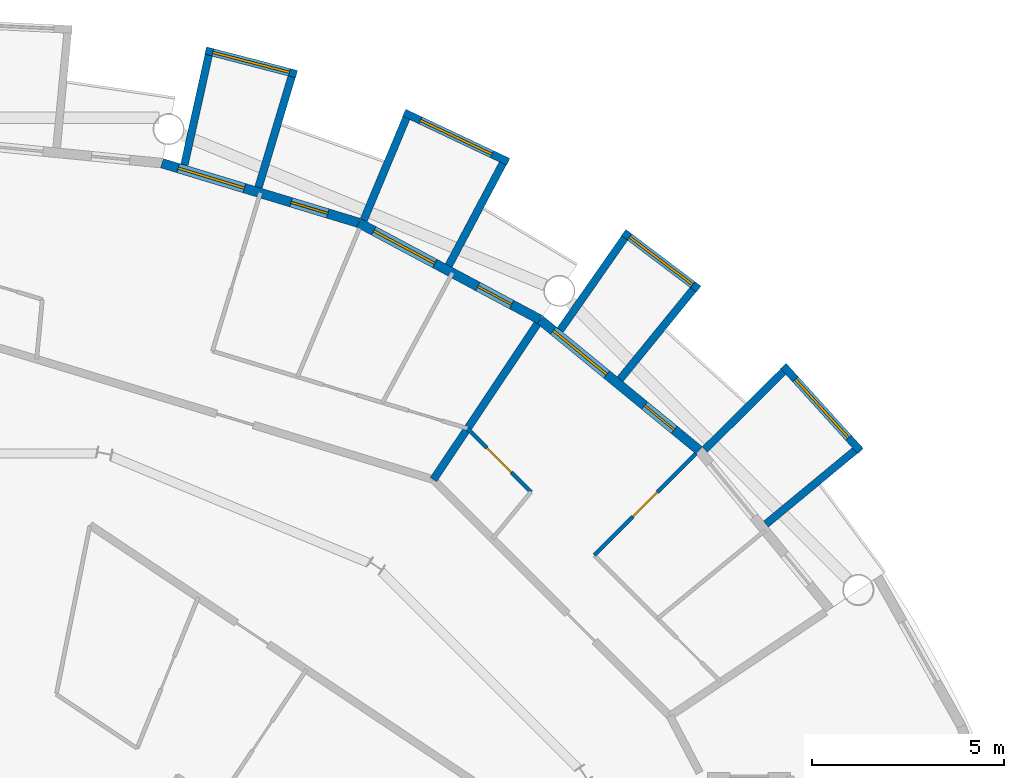
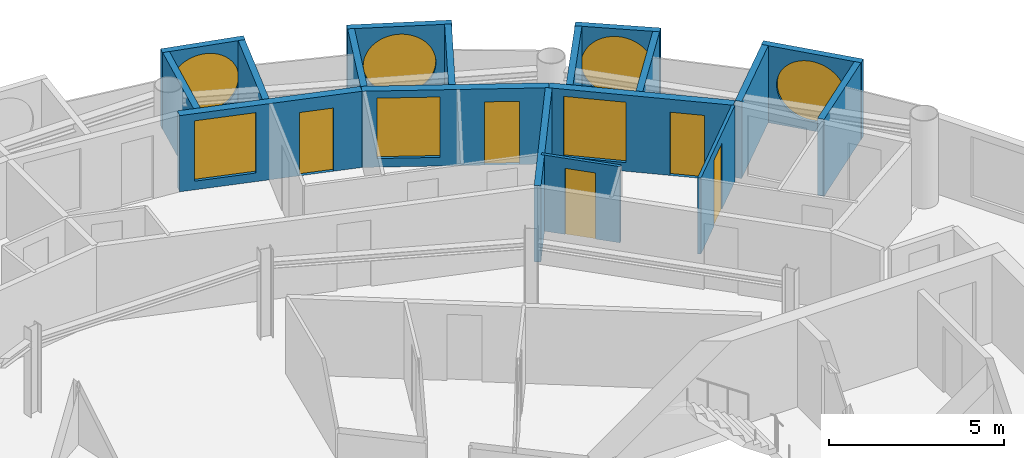
# One storey, part 24 of 28: 18 walls, 7 windows, 5 doors, 12 openings.
"""IFC4 building model written with IfcOpenShell, lengths in metres."""

from ifc_helpers import new_model, si_unit, direction, frame, frame_2d, origin, place, context, subcontext, project, spatial, rectangle, circle, extrude, material, layer, layer_set, type_object, element, fill, save


model = new_model("IFC4")

# Units and contexts
model_context = context("Model", 3, precision=1e-05, world=origin(), true_north=direction((0.0, 1.0)))
body_context = subcontext(model_context, "Body", "Model", "MODEL_VIEW")
ifc_project = project(units=[si_unit("LENGTHUNIT", "METRE"), si_unit("AREAUNIT", "SQUARE_METRE"), si_unit("VOLUMEUNIT", "CUBIC_METRE"), si_unit("PLANEANGLEUNIT", "RADIAN"), si_unit("MASSUNIT", "GRAM", prefix="KILO")], contexts=[model_context])

# Site, building, storey
site_placement = place(None, origin())
site = spatial("IfcSite", under=ifc_project, at=site_placement, CompositionType="ELEMENT")
building_placement = place(site_placement, origin())
building = spatial("IfcBuilding", under=site, at=building_placement, Name="Maasbend Ring Residences", CompositionType="ELEMENT")
storey_placement = place(building_placement, frame((0.0, 0.0, 218.800048828125)))
storey = spatial("IfcBuildingStorey", under=building, at=storey_placement, Name="L63", CompositionType="ELEMENT", Elevation=218.800048828125)

# Wall, opening, window
ifc_material_1 = material(Name="Pale anodised aluminium panel", Category="aluminium")
ifc_layer_1 = layer(ifc_material_1, 0.199951171875)
ifc_layer_set_1 = layer_set([ifc_layer_1], Name="EW-BOX")
wall_type_1 = type_object("IfcWallType", Name="EW-BOX", PredefinedType="SOLIDWALL", material=ifc_layer_set_1)
wall_1_placement = place(storey_placement, frame((23.5029296875, 19.281982421875, -0.030029296875), z_axis=(0.0, 0.0, 1.0), x_axis=(-0.671506829416, 0.740998365753, 0.0)))
wall_1 = element("IfcWall", 1, at=wall_1_placement, inside=storey, type_object=wall_type_1, Name="Box front N02", PredefinedType="SOLIDWALL", context=body_context, shape_type="SweptSolid", body=[
    extrude(rectangle(XDim=2.9931640625, YDim=0.199951171875, at=frame_2d((1.49658203125, 0.0))), origin(), (0.0, 0.0, 1.0), 2.679931640625),
])
opening_1_placement = place(wall_1_placement, frame((0.45654296875, 0.0, 0.330078125)))
opening_1 = element("IfcOpeningElement", 2, at=opening_1_placement, cuts=wall_1, Name="Opening W-RD", PredefinedType="OPENING", context=body_context, shape_type="SweptSolid", body=[
    extrude(circle(Radius=1.0400390625, at=frame_2d((1.0400390625, 1.0400390625))), frame((0.0, 0.10986328125, 0.0), z_axis=(0.0, -1.0, 0.0), x_axis=(1.0, 0.0, 0.0)), (0.0, 0.0, 1.0), 0.219970703125),
])
ifc_material_2 = material(Name="Aluminium and clear glass", Category="aluminium")
window_type_1 = type_object("IfcWindowType", Name="W-RD", PartitioningType="SINGLE_PANEL", PredefinedType="WINDOW", material=ifc_material_2)
window_1_placement = place(opening_1_placement, origin())
window_1 = element("IfcWindow", 3, at=window_1_placement, inside=storey, type_object=window_type_1, Name="Round window N02", OverallHeight=2.080078125, OverallWidth=2.080078125, PartitioningType="SINGLE_PANEL", PredefinedType="WINDOW", context=body_context, shape_type="SweptSolid", body=[
    extrude(circle(Radius=1.0400390625, at=frame_2d((1.0400390625, 1.0400390625))), frame((0.0, 0.030029296875, 0.0), z_axis=(0.0, -1.0, 0.0), x_axis=(1.0, 0.0, 0.0)), (0.0, 0.0, 1.0), 0.06005859375),
])
fill(opening_1, window_1)

# Walls
wall_2_placement = place(storey_placement, frame((21.041015625, 17.384033203125, -0.030029296875), z_axis=(0.0, 0.0, 1.0), x_axis=(0.770784861449, 0.63709551667, 0.0)))
element("IfcWall", 4, at=wall_2_placement, inside=storey, type_object=wall_type_1, Name="Box side wall N02 left", PredefinedType="SOLIDWALL", context=body_context, shape_type="SweptSolid", body=[
    extrude(rectangle(XDim=3.005859375, YDim=0.199951171875, at=frame_2d((1.5029296875, 0.0))), origin(), (0.0, 0.0, 1.0), 2.679931640625),
])
wall_3_placement = place(storey_placement, frame((19.449951171875, 19.322998046875, -0.030029296875), z_axis=(0.0, 0.0, 1.0), x_axis=(0.709727076896, 0.704476739375, 0.0)))
element("IfcWall", 5, at=wall_3_placement, inside=storey, type_object=wall_type_1, Name="Box side wall N02 right", PredefinedType="SOLIDWALL", context=body_context, shape_type="SweptSolid", body=[
    extrude(rectangle(XDim=2.883056640625, YDim=0.199951171875, at=frame_2d((1.44140625, 0.0))), origin(), (0.0, 0.0, 1.0), 2.679931640625),
])

# Wall, opening, window
wall_4_placement = place(storey_placement, frame((19.2890625, 23.4970703125, -0.030029296875), z_axis=(0.0, 0.0, 1.0), x_axis=(-0.797887588059, 0.602806268067, 0.0)))
wall_4 = element("IfcWall", 6, at=wall_4_placement, inside=storey, type_object=wall_type_1, Name="Box front N04", PredefinedType="SOLIDWALL", context=body_context, shape_type="SweptSolid", body=[
    extrude(rectangle(XDim=2.446533203125, YDim=0.199951171875, at=frame_2d((1.22314453125, 0.0))), origin(), (0.0, 0.0, 1.0), 2.679931640625),
])
opening_2_placement = place(wall_4_placement, frame((0.182861328125, 0.0, 0.330078125)))
opening_2 = element("IfcOpeningElement", 7, at=opening_2_placement, cuts=wall_4, Name="Opening W-RD", PredefinedType="OPENING", context=body_context, shape_type="SweptSolid", body=[
    extrude(circle(Radius=1.0400390625, at=frame_2d((1.0400390625, 1.0400390625))), frame((0.0, 0.10986328125, 0.0), z_axis=(0.0, -1.0, 0.0), x_axis=(1.0, 0.0, 0.0)), (0.0, 0.0, 1.0), 0.219970703125),
])
window_2_placement = place(opening_2_placement, origin())
window_2 = element("IfcWindow", 8, at=window_2_placement, inside=storey, type_object=window_type_1, Name="Round window N04", OverallHeight=2.080078125, OverallWidth=2.080078125, PartitioningType="SINGLE_PANEL", PredefinedType="WINDOW", context=body_context, shape_type="SweptSolid", body=[
    extrude(circle(Radius=1.0400390625, at=frame_2d((1.0400390625, 1.0400390625))), frame((0.0, 0.030029296875, 0.0), z_axis=(0.0, -1.0, 0.0), x_axis=(1.0, 0.0, 0.0)), (0.0, 0.0, 1.0), 0.06005859375),
])
fill(opening_2, window_2)

# Walls
wall_5_placement = place(storey_placement, frame((17.24609375, 21.155029296875, -0.030029296875), z_axis=(0.0, 0.0, 1.0), x_axis=(0.631741648902, 0.775179004516, 0.0)))
element("IfcWall", 9, at=wall_5_placement, inside=storey, type_object=wall_type_1, Name="Box side wall N04 left", PredefinedType="SOLIDWALL", context=body_context, shape_type="SweptSolid", body=[
    extrude(rectangle(XDim=3.005859375, YDim=0.199951171875, at=frame_2d((1.5029296875, 0.0))), origin(), (0.0, 0.0, 1.0), 2.679931640625),
])
wall_6_placement = place(storey_placement, frame((15.68798828125, 22.43310546875, -0.030029296875), z_axis=(0.0, 0.0, 1.0), x_axis=(0.573260687834, 0.819373043115, 0.0)))
element("IfcWall", 10, at=wall_6_placement, inside=storey, type_object=wall_type_1, Name="Box side wall N04 right", PredefinedType="SOLIDWALL", context=body_context, shape_type="SweptSolid", body=[
    extrude(rectangle(XDim=2.92529296875, YDim=0.199951171875, at=frame_2d((1.462646484375, 0.0))), origin(), (0.0, 0.0, 1.0), 2.679931640625),
])

# Wall, opening, window
wall_7_placement = place(storey_placement, frame((14.3349609375, 26.80810546875, -0.030029296875), z_axis=(0.0, 0.0, 1.0), x_axis=(-0.904000060331, 0.427532327342, 0.0)))
wall_7 = element("IfcWall", 11, at=wall_7_placement, inside=storey, type_object=wall_type_1, Name="Box front N06", PredefinedType="SOLIDWALL", context=body_context, shape_type="SweptSolid", body=[
    extrude(rectangle(XDim=2.993408203125, YDim=0.199951171875, at=frame_2d((1.49658203125, 0.0))), origin(), (0.0, 0.0, 1.0), 2.679931640625),
])
opening_3_placement = place(wall_7_placement, frame((0.45654296875, 0.0, 0.330078125)))
opening_3 = element("IfcOpeningElement", 12, at=opening_3_placement, cuts=wall_7, Name="Opening W-RD", PredefinedType="OPENING", context=body_context, shape_type="SweptSolid", body=[
    extrude(circle(Radius=1.0400390625, at=frame_2d((1.0400390625, 1.0400390625))), frame((0.0, 0.10986328125, 0.0), z_axis=(0.0, -1.0, 0.0), x_axis=(1.0, 0.0, 0.0)), (0.0, 0.0, 1.0), 0.219970703125),
])
window_3_placement = place(opening_3_placement, origin())
window_3 = element("IfcWindow", 13, at=window_3_placement, inside=storey, type_object=window_type_1, Name="Round window N06", OverallHeight=2.080078125, OverallWidth=2.080078125, PartitioningType="SINGLE_PANEL", PredefinedType="WINDOW", context=body_context, shape_type="SweptSolid", body=[
    extrude(circle(Radius=1.0400390625, at=frame_2d((1.0400390625, 1.0400390625))), frame((0.0, 0.030029296875, 0.0), z_axis=(0.0, -1.0, 0.0), x_axis=(1.0, 0.0, 0.0)), (0.0, 0.0, 1.0), 0.06005859375),
])
fill(opening_3, window_3)

# Walls
wall_8_placement = place(storey_placement, frame((12.787109375, 24.113037109375, -0.030029296875), z_axis=(0.0, 0.0, 1.0), x_axis=(0.468365282436, 0.883534924159, 0.0)))
element("IfcWall", 14, at=wall_8_placement, inside=storey, type_object=wall_type_1, Name="Box side wall N06 left", PredefinedType="SOLIDWALL", context=body_context, shape_type="SweptSolid", body=[
    extrude(rectangle(XDim=3.006103515625, YDim=0.199951171875, at=frame_2d((1.5029296875, 0.0))), origin(), (0.0, 0.0, 1.0), 2.679931640625),
])
wall_9_placement = place(storey_placement, frame((10.574951171875, 25.294921875, -0.030029296875), z_axis=(0.0, 0.0, 1.0), x_axis=(0.385697364644, 0.922625353492, 0.0)))
element("IfcWall", 15, at=wall_9_placement, inside=storey, type_object=wall_type_1, Name="Box side wall N06 right", PredefinedType="SOLIDWALL", context=body_context, shape_type="SweptSolid", body=[
    extrude(rectangle(XDim=2.88330078125, YDim=0.199951171875, at=frame_2d((1.441650390625, 0.0))), origin(), (0.0, 0.0, 1.0), 2.679931640625),
])

# Wall, opening, window
wall_10_placement = place(storey_placement, frame((8.8291015625, 29.090087890625, -0.030029296875), z_axis=(0.0, 0.0, 1.0), x_axis=(-0.96789536872, 0.251353446784, 0.0)))
wall_10 = element("IfcWall", 16, at=wall_10_placement, inside=storey, type_object=wall_type_1, Name="Box front N08", PredefinedType="SOLIDWALL", context=body_context, shape_type="SweptSolid", body=[
    extrude(rectangle(XDim=2.44677734375, YDim=0.199951171875, at=frame_2d((1.223388671875, 0.0))), origin(), (0.0, 0.0, 1.0), 2.679931640625),
])
opening_4_placement = place(wall_10_placement, frame((0.182861328125, 0.0, 0.330078125)))
opening_4 = element("IfcOpeningElement", 17, at=opening_4_placement, cuts=wall_10, Name="Opening W-RD", PredefinedType="OPENING", context=body_context, shape_type="SweptSolid", body=[
    extrude(circle(Radius=1.0400390625, at=frame_2d((1.0400390625, 1.0400390625))), frame((0.0, 0.10986328125, 0.0), z_axis=(0.0, -1.0, 0.0), x_axis=(1.0, 0.0, 0.0)), (0.0, 0.0, 1.0), 0.219970703125),
])
window_4_placement = place(opening_4_placement, origin())
window_4 = element("IfcWindow", 18, at=window_4_placement, inside=storey, type_object=window_type_1, Name="Round window N08", OverallHeight=2.080078125, OverallWidth=2.080078125, PartitioningType="SINGLE_PANEL", PredefinedType="WINDOW", context=body_context, shape_type="SweptSolid", body=[
    extrude(circle(Radius=1.0400390625, at=frame_2d((1.0400390625, 1.0400390625))), frame((0.0, 0.030029296875, 0.0), z_axis=(0.0, -1.0, 0.0), x_axis=(1.0, 0.0, 0.0)), (0.0, 0.0, 1.0), 0.06005859375),
])
fill(opening_4, window_4)

# Walls
wall_11_placement = place(storey_placement, frame((7.8369140625, 26.14404296875, -0.030029296875), z_axis=(0.0, 0.0, 1.0), x_axis=(0.287064767992, 0.957911174889, 0.0)))
element("IfcWall", 19, at=wall_11_placement, inside=storey, type_object=wall_type_1, Name="Box side wall N08 left", PredefinedType="SOLIDWALL", context=body_context, shape_type="SweptSolid", body=[
    extrude(rectangle(XDim=3.00634765625, YDim=0.199951171875, at=frame_2d((1.503173828125, 0.0))), origin(), (0.0, 0.0, 1.0), 2.679931640625),
])
wall_12_placement = place(storey_placement, frame((5.908935546875, 26.72900390625, -0.030029296875), z_axis=(0.0, 0.0, 1.0), x_axis=(0.216409053917, 0.976302781612, 0.0)))
element("IfcWall", 20, at=wall_12_placement, inside=storey, type_object=wall_type_1, Name="Box side wall N08 right", PredefinedType="SOLIDWALL", context=body_context, shape_type="SweptSolid", body=[
    extrude(rectangle(XDim=2.92529296875, YDim=0.199951171875, at=frame_2d((1.462646484375, 0.0))), origin(), (0.0, 0.0, 1.0), 2.679931640625),
])

# Wall, openings, door, window
ifc_material_3 = material(Name="Aluminium clad insulated panel", Category="aluminium")
ifc_layer_2 = layer(ifc_material_3, 0.25)
ifc_layer_set_2 = layer_set([ifc_layer_2], Name="EW-GL")
wall_type_2 = type_object("IfcWallType", Name="EW-GL", PredefinedType="SOLIDWALL", material=ifc_layer_set_2)
wall_13_placement = place(storey_placement, frame((19.303955078125, 19.303955078125, 0.0), z_axis=(0.0, 0.0, 1.0), x_axis=(-0.773019449054, 0.634382322723, 0.0)))
wall_13 = element("IfcWall", 21, at=wall_13_placement, inside=storey, type_object=wall_type_2, Name="External wall N02", PredefinedType="SOLIDWALL", context=body_context, shape_type="SweptSolid", body=[
    extrude(rectangle(XDim=5.351806640625, YDim=0.25, at=frame_2d((2.67578125, 0.0))), origin(), (0.0, 0.0, 1.0), 2.64990234375),
])
opening_5_placement = place(wall_13_placement, frame((0.841064453125, 0.0, 0.0)))
opening_5 = element("IfcOpeningElement", 22, at=opening_5_placement, cuts=wall_13, Name="Opening D-LG", PredefinedType="OPENING", context=body_context, shape_type="SweptSolid", body=[
    extrude(rectangle(XDim=1.0, YDim=2.199951171875, at=frame_2d((0.5, 1.10009765625))), frame((0.0, 0.135009765625, 0.0), z_axis=(0.0, -1.0, 0.0), x_axis=(1.0, 0.0, 0.0)), (0.0, 0.0, 1.0), 0.27001953125),
])
opening_6_placement = place(wall_13_placement, frame((3.110595703125, 0.0, 0.300048828125)))
opening_6 = element("IfcOpeningElement", 23, at=opening_6_placement, cuts=wall_13, Name="Opening W-BX", PredefinedType="OPENING", context=body_context, shape_type="SweptSolid", body=[
    extrude(rectangle(XDim=1.800048828125, YDim=2.10009765625, at=frame_2d((0.89990234375, 1.050048828125))), frame((0.0, 0.135009765625, 0.0), z_axis=(0.0, -1.0, 0.0), x_axis=(1.0, 0.0, 0.0)), (0.0, 0.0, 1.0), 0.27001953125),
])
ifc_material_4 = material(Name="Aluminium and clear glass", Category="aluminium")
door_type_1 = type_object("IfcDoorType", Name="D-LG", OperationType="SINGLE_SWING_LEFT", PredefinedType="DOOR", material=ifc_material_4)
door_1_placement = place(opening_5_placement, origin())
door_1 = element("IfcDoor", 24, at=door_1_placement, inside=storey, type_object=door_type_1, Name="Loggia door N03", OperationType="SINGLE_SWING_LEFT", OverallHeight=2.199951171875, OverallWidth=1.0, PredefinedType="DOOR", context=body_context, shape_type="SweptSolid", body=[
    extrude(rectangle(XDim=1.0, YDim=2.199951171875, at=frame_2d((0.5, 1.10009765625))), frame((0.0, 0.02490234375, 0.0), z_axis=(0.0, -1.0, 0.0), x_axis=(1.0, 0.0, 0.0)), (0.0, 0.0, 1.0), 0.050048828125),
])
fill(opening_5, door_1)
ifc_material_5 = material(Name="Aluminium and clear glass", Category="aluminium")
window_type_2 = type_object("IfcWindowType", Name="W-BX", PartitioningType="DOUBLE_PANEL_VERTICAL", PredefinedType="WINDOW", material=ifc_material_5)
window_5_placement = place(opening_6_placement, origin())
window_5 = element("IfcWindow", 25, at=window_5_placement, inside=storey, type_object=window_type_2, Name="Window N04 room to box", OverallHeight=2.10009765625, OverallWidth=1.800048828125, PartitioningType="SINGLE_PANEL", PredefinedType="WINDOW", context=body_context, shape_type="SweptSolid", body=[
    extrude(rectangle(XDim=1.800048828125, YDim=2.10009765625, at=frame_2d((0.89990234375, 1.050048828125))), frame((0.0, 0.030029296875, 0.0), z_axis=(0.0, -1.0, 0.0), x_axis=(1.0, 0.0, 0.0)), (0.0, 0.0, 1.0), 0.06005859375),
])
fill(opening_6, window_5)

wall_14_placement = place(storey_placement, frame((15.1669921875, 22.698974609375, 0.0), z_axis=(0.0, 0.0, 1.0), x_axis=(-0.881915646801, 0.471407246368, 0.0)))
wall_14 = element("IfcWall", 26, at=wall_14_placement, inside=storey, type_object=wall_type_2, Name="External wall N03", PredefinedType="SOLIDWALL", context=body_context, shape_type="SweptSolid", body=[
    extrude(rectangle(XDim=5.35205078125, YDim=0.25, at=frame_2d((2.676025390625, 0.0))), origin(), (0.0, 0.0, 1.0), 2.64990234375),
])
opening_7_placement = place(wall_14_placement, frame((0.841064453125, 0.0, 0.0)))
opening_7 = element("IfcOpeningElement", 27, at=opening_7_placement, cuts=wall_14, Name="Opening D-LG", PredefinedType="OPENING", context=body_context, shape_type="SweptSolid", body=[
    extrude(rectangle(XDim=1.0, YDim=2.199951171875, at=frame_2d((0.5, 1.10009765625))), frame((0.0, 0.135009765625, 0.0), z_axis=(0.0, -1.0, 0.0), x_axis=(1.0, 0.0, 0.0)), (0.0, 0.0, 1.0), 0.27001953125),
])
opening_8_placement = place(wall_14_placement, frame((3.110595703125, 0.0, 0.300048828125)))
opening_8 = element("IfcOpeningElement", 28, at=opening_8_placement, cuts=wall_14, Name="Opening W-BX", PredefinedType="OPENING", context=body_context, shape_type="SweptSolid", body=[
    extrude(rectangle(XDim=1.800048828125, YDim=2.10009765625, at=frame_2d((0.89990234375, 1.050048828125))), frame((0.0, 0.135009765625, 0.0), z_axis=(0.0, -1.0, 0.0), x_axis=(1.0, 0.0, 0.0)), (0.0, 0.0, 1.0), 0.27001953125),
])
door_2_placement = place(opening_7_placement, origin())
door_2 = element("IfcDoor", 29, at=door_2_placement, inside=storey, type_object=door_type_1, Name="Loggia door N05", OperationType="SINGLE_SWING_LEFT", OverallHeight=2.199951171875, OverallWidth=1.0, PredefinedType="DOOR", context=body_context, shape_type="SweptSolid", body=[
    extrude(rectangle(XDim=1.0, YDim=2.199951171875, at=frame_2d((0.5, 1.10009765625))), frame((0.0, 0.02490234375, 0.0), z_axis=(0.0, -1.0, 0.0), x_axis=(1.0, 0.0, 0.0)), (0.0, 0.0, 1.0), 0.050048828125),
])
fill(opening_7, door_2)
window_6_placement = place(opening_8_placement, origin())
window_6 = element("IfcWindow", 30, at=window_6_placement, inside=storey, type_object=window_type_2, Name="Window N06 room to box", OverallHeight=2.10009765625, OverallWidth=1.800048828125, PartitioningType="SINGLE_PANEL", PredefinedType="WINDOW", context=body_context, shape_type="SweptSolid", body=[
    extrude(rectangle(XDim=1.800048828125, YDim=2.10009765625, at=frame_2d((0.89990234375, 1.050048828125))), frame((0.0, 0.030029296875, 0.0), z_axis=(0.0, -1.0, 0.0), x_axis=(1.0, 0.0, 0.0)), (0.0, 0.0, 1.0), 0.06005859375),
])
fill(opening_8, window_6)

wall_15_placement = place(storey_placement, frame((10.447021484375, 25.221923828125, 0.0), z_axis=(0.0, 0.0, 1.0), x_axis=(-0.956965678721, 0.290201119486, 0.0)))
wall_15 = element("IfcWall", 31, at=wall_15_placement, inside=storey, type_object=wall_type_2, Name="External wall N04", PredefinedType="SOLIDWALL", context=body_context, shape_type="SweptSolid", body=[
    extrude(rectangle(XDim=5.351318359375, YDim=0.25, at=frame_2d((2.67578125, 0.0))), origin(), (0.0, 0.0, 1.0), 2.64990234375),
])
opening_9_placement = place(wall_15_placement, frame((0.841064453125, 0.0, 0.0)))
opening_9 = element("IfcOpeningElement", 32, at=opening_9_placement, cuts=wall_15, Name="Opening D-LG", PredefinedType="OPENING", context=body_context, shape_type="SweptSolid", body=[
    extrude(rectangle(XDim=1.0, YDim=2.199951171875, at=frame_2d((0.5, 1.10009765625))), frame((0.0, 0.135009765625, 0.0), z_axis=(0.0, -1.0, 0.0), x_axis=(1.0, 0.0, 0.0)), (0.0, 0.0, 1.0), 0.27001953125),
])
opening_10_placement = place(wall_15_placement, frame((3.110595703125, 0.0, 0.300048828125)))
opening_10 = element("IfcOpeningElement", 33, at=opening_10_placement, cuts=wall_15, Name="Opening W-BX", PredefinedType="OPENING", context=body_context, shape_type="SweptSolid", body=[
    extrude(rectangle(XDim=1.800048828125, YDim=2.10009765625, at=frame_2d((0.89990234375, 1.050048828125))), frame((0.0, 0.135009765625, 0.0), z_axis=(0.0, -1.0, 0.0), x_axis=(1.0, 0.0, 0.0)), (0.0, 0.0, 1.0), 0.27001953125),
])
door_3_placement = place(opening_9_placement, origin())
door_3 = element("IfcDoor", 34, at=door_3_placement, inside=storey, type_object=door_type_1, Name="Loggia door N07", OperationType="SINGLE_SWING_LEFT", OverallHeight=2.199951171875, OverallWidth=1.0, PredefinedType="DOOR", context=body_context, shape_type="SweptSolid", body=[
    extrude(rectangle(XDim=1.0, YDim=2.199951171875, at=frame_2d((0.5, 1.10009765625))), frame((0.0, 0.02490234375, 0.0), z_axis=(0.0, -1.0, 0.0), x_axis=(1.0, 0.0, 0.0)), (0.0, 0.0, 1.0), 0.050048828125),
])
fill(opening_9, door_3)
window_7_placement = place(opening_10_placement, origin())
window_7 = element("IfcWindow", 35, at=window_7_placement, inside=storey, type_object=window_type_2, Name="Window N08 room to box", OverallHeight=2.10009765625, OverallWidth=1.800048828125, PartitioningType="SINGLE_PANEL", PredefinedType="WINDOW", context=body_context, shape_type="SweptSolid", body=[
    extrude(rectangle(XDim=1.800048828125, YDim=2.10009765625, at=frame_2d((0.89990234375, 1.050048828125))), frame((0.0, 0.030029296875, 0.0), z_axis=(0.0, -1.0, 0.0), x_axis=(1.0, 0.0, 0.0)), (0.0, 0.0, 1.0), 0.06005859375),
])
fill(opening_10, window_7)

# Wall, opening, door
ifc_material_6 = material(Name="Gypsum board on steel studs", Category="steel")
ifc_layer_3 = layer(ifc_material_6, 0.10009765625)
ifc_layer_set_3 = layer_set([ifc_layer_3], Name="PARTITION 100 GYPSUM")
wall_type_3 = type_object("IfcWallType", Name="PARTITION 100 GYPSUM", PredefinedType="PARTITIONING", material=ifc_layer_set_3)
wall_16_placement = place(storey_placement, frame((16.574951171875, 16.574951171875, 0.0), z_axis=(0.0, 0.0, 1.0), x_axis=(0.707106781187, 0.707106781187, 0.0)))
wall_16 = element("IfcWall", 36, at=wall_16_placement, inside=storey, type_object=wall_type_3, Name="U-L63-w081", PredefinedType="PARTITIONING", context=body_context, shape_type="SweptSolid", body=[
    extrude(rectangle(XDim=3.735107421875, YDim=0.10009765625, at=frame_2d((1.86767578125, 0.0))), origin(), (0.0, 0.0, 1.0), 2.64990234375),
])
opening_11_placement = place(wall_16_placement, frame((1.4169921875, 0.0, 0.0)))
opening_11 = element("IfcOpeningElement", 37, at=opening_11_placement, cuts=wall_16, Name="Opening D-6303", PredefinedType="OPENING", context=body_context, shape_type="SweptSolid", body=[
    extrude(rectangle(XDim=0.89990234375, YDim=2.300048828125, at=frame_2d((0.449951171875, 1.14990234375))), frame((0.0, 0.06005859375, 0.0), z_axis=(0.0, -1.0, 0.0), x_axis=(1.0, 0.0, 0.0)), (0.0, 0.0, 1.0), 0.1201171875),
])
ifc_material_7 = material(Name="Timber, painted", Category="wood")
door_type_2 = type_object("IfcDoorType", Name="INTERNAL DOOR 900 X 2300", OperationType="NOTDEFINED", PredefinedType="DOOR", material=ifc_material_7)
door_4_placement = place(opening_11_placement, origin())
door_4 = element("IfcDoor", 38, at=door_4_placement, inside=storey, type_object=door_type_2, Name="D-6303", OperationType="SINGLE_SWING_RIGHT", OverallHeight=2.300048828125, OverallWidth=0.89990234375, PredefinedType="DOOR", context=body_context, shape_type="SweptSolid", body=[
    extrude(rectangle(XDim=0.89990234375, YDim=2.300048828125, at=frame_2d((0.449951171875, 1.14990234375))), frame((0.0, 0.02490234375, 0.0), z_axis=(0.0, -1.0, 0.0), x_axis=(1.0, 0.0, 0.0)), (0.0, 0.0, 1.0), 0.050048828125),
])
fill(opening_11, door_4)

wall_17_placement = place(storey_placement, frame((13.282958984375, 19.866943359375, 0.0), z_axis=(0.0, 0.0, 1.0), x_axis=(0.707106781187, -0.707106781187, 0.0)))
wall_17 = element("IfcWall", 39, at=wall_17_placement, inside=storey, type_object=wall_type_3, Name="U-L63-w112", PredefinedType="PARTITIONING", context=body_context, shape_type="SweptSolid", body=[
    extrude(rectangle(XDim=2.33203125, YDim=0.10009765625, at=frame_2d((1.166015625, 0.0))), origin(), (0.0, 0.0, 1.0), 2.64990234375),
])
opening_12_placement = place(wall_17_placement, frame((0.708984375, 0.0, 0.0)))
opening_12 = element("IfcOpeningElement", 40, at=opening_12_placement, cuts=wall_17, Name="Opening D-6302", PredefinedType="OPENING", context=body_context, shape_type="SweptSolid", body=[
    extrude(rectangle(XDim=0.89990234375, YDim=2.300048828125, at=frame_2d((0.449951171875, 1.14990234375))), frame((0.0, 0.06005859375, 0.0), z_axis=(0.0, -1.0, 0.0), x_axis=(1.0, 0.0, 0.0)), (0.0, 0.0, 1.0), 0.1201171875),
])
door_5_placement = place(opening_12_placement, origin())
door_5 = element("IfcDoor", 41, at=door_5_placement, inside=storey, type_object=door_type_2, Name="D-6302", OperationType="SINGLE_SWING_LEFT", OverallHeight=2.300048828125, OverallWidth=0.89990234375, PredefinedType="DOOR", context=body_context, shape_type="SweptSolid", body=[
    extrude(rectangle(XDim=0.89990234375, YDim=2.300048828125, at=frame_2d((0.449951171875, 1.14990234375))), frame((0.0, 0.02490234375, 0.0), z_axis=(0.0, -1.0, 0.0), x_axis=(1.0, 0.0, 0.0)), (0.0, 0.0, 1.0), 0.050048828125),
])
fill(opening_12, door_5)

# Wall
ifc_material_8 = material(Name="Concrete C30/37", Category="concrete")
ifc_layer_4 = layer(ifc_material_8, 0.199951171875)
ifc_layer_set_4 = layer_set([ifc_layer_4], Name="Concrete C30/37")
wall_type_4 = type_object("IfcWallType", Name="PARTY WALL 200 CONCRETE", PredefinedType="PARTITIONING", material=ifc_layer_set_4)
wall_18_placement = place(storey_placement, frame((12.388916015625, 18.5419921875, 0.0), z_axis=(0.0, 0.0, 1.0), x_axis=(0.555462686211, 0.831541462723, 0.0)))
element("IfcWall", 42, at=wall_18_placement, inside=storey, type_object=wall_type_4, Name="U-L63-w078", PredefinedType="PARTITIONING", context=body_context, shape_type="SweptSolid", body=[
    extrude(rectangle(XDim=4.875244140625, YDim=0.199951171875, at=frame_2d((2.4375, 0.0))), origin(), (0.0, 0.0, 1.0), 2.64990234375),
])

save(model, "model.ifc")
